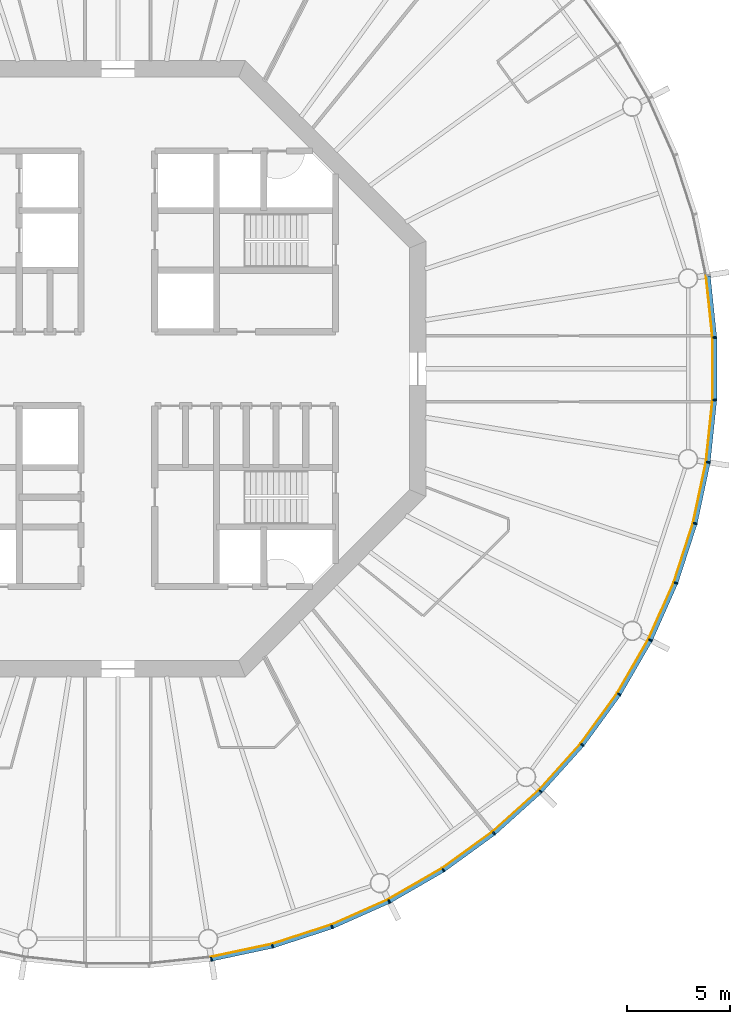
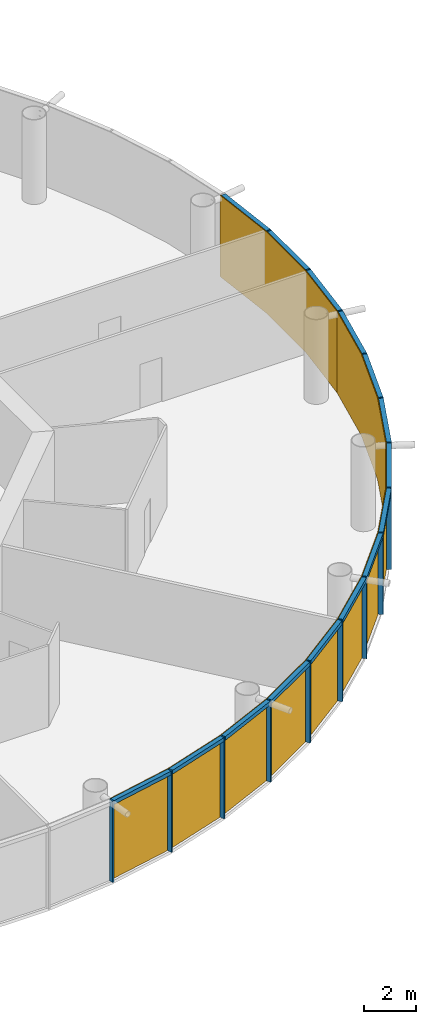
# One storey, part 9 of 13: 30 members, 5 curtain walls.
"""IFC4 building model written with IfcOpenShell, lengths in metres."""

from ifc_helpers import new_model, si_unit, direction, frame, origin, origin_2d, place, context, subcontext, project, spatial, polyline, rectangle, outline, extrude, material, layer, layer_set, material_profile, profile_set, type_object, element, aggregate, save


model = new_model("IFC4")

# Units and contexts
model_context = context("Model", 3, precision=1e-05, world=origin(), true_north=direction((0.0, 1.0)))
body_context = subcontext(model_context, "Body", "Model", "MODEL_VIEW")
ifc_project = project(units=[si_unit("LENGTHUNIT", "METRE"), si_unit("AREAUNIT", "SQUARE_METRE"), si_unit("VOLUMEUNIT", "CUBIC_METRE"), si_unit("PLANEANGLEUNIT", "RADIAN"), si_unit("MASSUNIT", "GRAM", prefix="KILO")], contexts=[model_context])

# Member
ifc_material_1 = material(Name="Anodised aluminium", Category="aluminium")
ifc_material_profile_1 = material_profile(ifc_material_1, rectangle(XDim=0.06494140625, YDim=0.195068359375, at=origin_2d()), Name="Mullion 65 x 195 mm anodised aluminium")
ifc_profile_set_1 = profile_set([ifc_material_profile_1], Name="Anodised aluminium")
member_type_1 = type_object("IfcMemberType", Name="Mullion 65 x 195 mm anodised aluminium", PredefinedType="MULLION", material=ifc_profile_set_1)
site_placement = place(None, origin())
building_placement = place(site_placement, origin())
storey_placement = place(building_placement, frame((0.0, 0.0, 290.0)))
member_1_placement = place(storey_placement, frame((94.5517578125, 51.2607421875, 0.0), z_axis=(0.0, 0.0, 1.0), x_axis=(0.987688340595, 0.15643446504, 0.0)))
member_1 = element("IfcMember", 1, at=member_1_placement, type_object=member_type_1, Name="MULLION L66-45", PredefinedType="MULLION", context=body_context, shape_type="SweptSolid", body=[
    extrude(rectangle(XDim=0.06494140625, YDim=0.195068359375, at=origin_2d()), origin(), (0.0, 0.0, 1.0), 3.85009765625),
])

member_2_placement = place(storey_placement, frame((97.531005859375, 51.89404296875, 0.0), z_axis=(0.0, 0.0, 1.0), x_axis=(0.965925826289, 0.258819045103, 0.0)))
member_2 = element("IfcMember", 2, at=member_2_placement, type_object=member_type_1, Name="MULLION L66-46", PredefinedType="MULLION", context=body_context, shape_type="SweptSolid", body=[
    extrude(rectangle(XDim=0.06494140625, YDim=0.195068359375, at=origin_2d()), origin(), (0.0, 0.0, 1.0), 3.85009765625),
])

member_3_placement = place(storey_placement, frame((100.427490234375, 52.835205078125, 0.0), z_axis=(0.0, 0.0, 1.0), x_axis=(0.933580426497, 0.358367949545, 0.0)))
member_3 = element("IfcMember", 3, at=member_3_placement, type_object=member_type_1, Name="MULLION L66-47", PredefinedType="MULLION", context=body_context, shape_type="SweptSolid", body=[
    extrude(rectangle(XDim=0.06494140625, YDim=0.195068359375, at=origin_2d()), origin(), (0.0, 0.0, 1.0), 3.85009765625),
])

member_4_placement = place(storey_placement, frame((103.2099609375, 54.073974609375, 0.0), z_axis=(0.0, 0.0, 1.0), x_axis=(0.891006524188, 0.45399049974, 0.0)))
member_4 = element("IfcMember", 4, at=member_4_placement, type_object=member_type_1, Name="MULLION L66-48", PredefinedType="MULLION", context=body_context, shape_type="SweptSolid", body=[
    extrude(rectangle(XDim=0.06494140625, YDim=0.195068359375, at=origin_2d()), origin(), (0.0, 0.0, 1.0), 3.85009765625),
])

member_5_placement = place(storey_placement, frame((105.84765625, 55.5966796875, 0.0), z_axis=(0.0, 0.0, 1.0), x_axis=(0.838670567945, 0.544639035015, 0.0)))
member_5 = element("IfcMember", 5, at=member_5_placement, type_object=member_type_1, Name="MULLION L66-49", PredefinedType="MULLION", context=body_context, shape_type="SweptSolid", body=[
    extrude(rectangle(XDim=0.06494140625, YDim=0.195068359375, at=origin_2d()), origin(), (0.0, 0.0, 1.0), 3.85009765625),
])

member_6_placement = place(storey_placement, frame((108.311767578125, 57.386962890625, 0.0), z_axis=(0.0, 0.0, 1.0), x_axis=(0.777145961457, 0.62932039105, 0.0)))
member_6 = element("IfcMember", 6, at=member_6_placement, type_object=member_type_1, Name="MULLION L66-50", PredefinedType="MULLION", context=body_context, shape_type="SweptSolid", body=[
    extrude(rectangle(XDim=0.06494140625, YDim=0.195068359375, at=origin_2d()), origin(), (0.0, 0.0, 1.0), 3.85009765625),
])

member_7_placement = place(storey_placement, frame((110.574951171875, 59.425048828125, 0.0), z_axis=(0.0, 0.0, 1.0), x_axis=(0.707106781187, 0.707106781187, 0.0)))
member_7 = element("IfcMember", 7, at=member_7_placement, type_object=member_type_1, Name="MULLION L66-51", PredefinedType="MULLION", context=body_context, shape_type="SweptSolid", body=[
    extrude(rectangle(XDim=0.06494140625, YDim=0.195068359375, at=origin_2d()), origin(), (0.0, 0.0, 1.0), 3.85009765625),
])

member_8_placement = place(storey_placement, frame((112.613037109375, 61.688232421875, 0.0), z_axis=(0.0, 0.0, 1.0), x_axis=(0.62932039105, 0.777145961457, 0.0)))
member_8 = element("IfcMember", 8, at=member_8_placement, type_object=member_type_1, Name="MULLION L66-52", PredefinedType="MULLION", context=body_context, shape_type="SweptSolid", body=[
    extrude(rectangle(XDim=0.06494140625, YDim=0.195068359375, at=origin_2d()), origin(), (0.0, 0.0, 1.0), 3.85009765625),
])

member_9_placement = place(storey_placement, frame((114.4033203125, 64.15234375, 0.0), z_axis=(0.0, 0.0, 1.0), x_axis=(0.544639035015, 0.838670567945, 0.0)))
member_9 = element("IfcMember", 9, at=member_9_placement, type_object=member_type_1, Name="MULLION L66-53", PredefinedType="MULLION", context=body_context, shape_type="SweptSolid", body=[
    extrude(rectangle(XDim=0.06494140625, YDim=0.195068359375, at=origin_2d()), origin(), (0.0, 0.0, 1.0), 3.85009765625),
])

member_10_placement = place(storey_placement, frame((115.926025390625, 66.7900390625, 0.0), z_axis=(0.0, 0.0, 1.0), x_axis=(0.45399049974, 0.891006524188, 0.0)))
member_10 = element("IfcMember", 10, at=member_10_placement, type_object=member_type_1, Name="MULLION L66-54", PredefinedType="MULLION", context=body_context, shape_type="SweptSolid", body=[
    extrude(rectangle(XDim=0.06494140625, YDim=0.195068359375, at=origin_2d()), origin(), (0.0, 0.0, 1.0), 3.85009765625),
])

member_11_placement = place(storey_placement, frame((117.164794921875, 69.572509765625, 0.0), z_axis=(0.0, 0.0, 1.0), x_axis=(0.358367949545, 0.933580426497, 0.0)))
member_11 = element("IfcMember", 11, at=member_11_placement, type_object=member_type_1, Name="MULLION L66-55", PredefinedType="MULLION", context=body_context, shape_type="SweptSolid", body=[
    extrude(rectangle(XDim=0.06494140625, YDim=0.195068359375, at=origin_2d()), origin(), (0.0, 0.0, 1.0), 3.85009765625),
])

member_12_placement = place(storey_placement, frame((118.10595703125, 72.468994140625, 0.0), z_axis=(0.0, 0.0, 1.0), x_axis=(0.258819045103, 0.965925826289, 0.0)))
member_12 = element("IfcMember", 12, at=member_12_placement, type_object=member_type_1, Name="MULLION L66-56", PredefinedType="MULLION", context=body_context, shape_type="SweptSolid", body=[
    extrude(rectangle(XDim=0.06494140625, YDim=0.195068359375, at=origin_2d()), origin(), (0.0, 0.0, 1.0), 3.85009765625),
])

member_13_placement = place(storey_placement, frame((118.7392578125, 75.4482421875, 0.0), z_axis=(0.0, 0.0, 1.0), x_axis=(0.15643446504, 0.987688340595, 0.0)))
member_13 = element("IfcMember", 13, at=member_13_placement, type_object=member_type_1, Name="MULLION L66-57", PredefinedType="MULLION", context=body_context, shape_type="SweptSolid", body=[
    extrude(rectangle(XDim=0.06494140625, YDim=0.195068359375, at=origin_2d()), origin(), (0.0, 0.0, 1.0), 3.85009765625),
])

member_14_placement = place(storey_placement, frame((119.0576171875, 78.47705078125, 0.0), z_axis=(0.0, 0.0, 1.0), x_axis=(0.052335956243, 0.998629534755, 0.0)))
member_14 = element("IfcMember", 14, at=member_14_placement, type_object=member_type_1, Name="MULLION L66-58", PredefinedType="MULLION", context=body_context, shape_type="SweptSolid", body=[
    extrude(rectangle(XDim=0.06494140625, YDim=0.195068359375, at=origin_2d()), origin(), (0.0, 0.0, 1.0), 3.85009765625),
])

member_15_placement = place(storey_placement, frame((119.0576171875, 81.52294921875, 0.0), z_axis=(0.0, 0.0, 1.0), x_axis=(-0.052335956243, 0.998629534755, 0.0)))
member_15 = element("IfcMember", 15, at=member_15_placement, type_object=member_type_1, Name="MULLION L66-59", PredefinedType="MULLION", context=body_context, shape_type="SweptSolid", body=[
    extrude(rectangle(XDim=0.06494140625, YDim=0.195068359375, at=origin_2d()), origin(), (0.0, 0.0, 1.0), 3.85009765625),
])

ifc_material_2 = material(Name="Anodised aluminium", Category="aluminium")
ifc_material_profile_2 = material_profile(ifc_material_2, rectangle(XDim=0.195068359375, YDim=0.179931640625, at=origin_2d()), Name="Transom 180 x 195 mm anodised aluminium")
ifc_profile_set_2 = profile_set([ifc_material_profile_2], Name="Anodised aluminium")
member_type_2 = type_object("IfcMemberType", Name="Transom 180 x 195 mm anodised aluminium", PredefinedType="USERDEFINED", material=ifc_profile_set_2)
member_16_placement = place(storey_placement, frame((94.588623046875, 51.268310546875, 3.760009765625), z_axis=(0.978141510112, 0.207940342877, 0.0), x_axis=(-0.207940342877, 0.978141510112, 0.0)))
member_16 = element("IfcMember", 16, at=member_16_placement, type_object=member_type_2, Name="TRANSOM L66-45", ObjectType="TRANSOM", PredefinedType="USERDEFINED", context=body_context, shape_type="SweptSolid", body=[
    extrude(rectangle(XDim=0.195068359375, YDim=0.179931640625, at=origin_2d()), origin(), (0.0, 0.0, 1.0), 2.970458984375),
])

member_17_placement = place(storey_placement, frame((97.56689453125, 51.905517578125, 3.760009765625), z_axis=(0.951047960094, 0.309043326415, 0.0), x_axis=(-0.309043326415, 0.951047960094, 0.0)))
member_17 = element("IfcMember", 17, at=member_17_placement, type_object=member_type_2, Name="TRANSOM L66-46", ObjectType="TRANSOM", PredefinedType="USERDEFINED", context=body_context, shape_type="SweptSolid", body=[
    extrude(rectangle(XDim=0.195068359375, YDim=0.179931640625, at=origin_2d()), origin(), (0.0, 0.0, 1.0), 2.970458984375),
])

member_18_placement = place(storey_placement, frame((100.4619140625, 52.850341796875, 3.760009765625), z_axis=(0.913550406593, 0.406725527369, 0.0), x_axis=(-0.406725527369, 0.913550406593, 0.0)))
member_18 = element("IfcMember", 18, at=member_18_placement, type_object=member_type_2, Name="TRANSOM L66-47", ObjectType="TRANSOM", PredefinedType="USERDEFINED", context=body_context, shape_type="SweptSolid", body=[
    extrude(rectangle(XDim=0.195068359375, YDim=0.179931640625, at=origin_2d()), origin(), (0.0, 0.0, 1.0), 2.970703125),
])

member_19_placement = place(storey_placement, frame((103.24267578125, 54.092529296875, 3.760009765625), z_axis=(0.866009025146, 0.500028367561, 0.0), x_axis=(-0.500028367561, 0.866009025146, 0.0)))
member_19 = element("IfcMember", 19, at=member_19_placement, type_object=member_type_2, Name="TRANSOM L66-48", ObjectType="TRANSOM", PredefinedType="USERDEFINED", context=body_context, shape_type="SweptSolid", body=[
    extrude(rectangle(XDim=0.195068359375, YDim=0.179931640625, at=origin_2d()), origin(), (0.0, 0.0, 1.0), 2.970458984375),
])

member_20_placement = place(storey_placement, frame((105.878173828125, 55.618896484375, 3.760009765625), z_axis=(0.809030990733, 0.587765987476, 0.0), x_axis=(-0.587765987476, 0.809030990733, 0.0)))
member_20 = element("IfcMember", 20, at=member_20_placement, type_object=member_type_2, Name="TRANSOM L66-49", ObjectType="TRANSOM", PredefinedType="USERDEFINED", context=body_context, shape_type="SweptSolid", body=[
    extrude(rectangle(XDim=0.195068359375, YDim=0.179931640625, at=origin_2d()), origin(), (0.0, 0.0, 1.0), 2.97021484375),
])

member_21_placement = place(storey_placement, frame((108.339599609375, 57.412109375, 3.760009765625), z_axis=(0.743163354343, 0.669110027395, 0.0), x_axis=(-0.669110027395, 0.743163354343, 0.0)))
member_21 = element("IfcMember", 21, at=member_21_placement, type_object=member_type_2, Name="TRANSOM L66-50", ObjectType="TRANSOM", PredefinedType="USERDEFINED", context=body_context, shape_type="SweptSolid", body=[
    extrude(rectangle(XDim=0.195068359375, YDim=0.179931640625, at=origin_2d()), origin(), (0.0, 0.0, 1.0), 2.970458984375),
])

member_22_placement = place(storey_placement, frame((110.600341796875, 59.452880859375, 3.760009765625), z_axis=(0.669110027395, 0.743163354343, 0.0), x_axis=(-0.743163354343, 0.669110027395, 0.0)))
member_22 = element("IfcMember", 22, at=member_22_placement, type_object=member_type_2, Name="TRANSOM L66-51", ObjectType="TRANSOM", PredefinedType="USERDEFINED", context=body_context, shape_type="SweptSolid", body=[
    extrude(rectangle(XDim=0.195068359375, YDim=0.179931640625, at=origin_2d()), origin(), (0.0, 0.0, 1.0), 2.970458984375),
])

member_23_placement = place(storey_placement, frame((112.63525390625, 61.71875, 3.760009765625), z_axis=(0.587765987476, 0.809030990733, 0.0), x_axis=(-0.809030990733, 0.587765987476, 0.0)))
member_23 = element("IfcMember", 23, at=member_23_placement, type_object=member_type_2, Name="TRANSOM L66-52", ObjectType="TRANSOM", PredefinedType="USERDEFINED", context=body_context, shape_type="SweptSolid", body=[
    extrude(rectangle(XDim=0.195068359375, YDim=0.179931640625, at=origin_2d()), origin(), (0.0, 0.0, 1.0), 2.97021484375),
])

member_24_placement = place(storey_placement, frame((114.422119140625, 64.184814453125, 3.760009765625), z_axis=(0.500028367561, 0.866009025146, 0.0), x_axis=(-0.866009025146, 0.500028367561, 0.0)))
member_24 = element("IfcMember", 24, at=member_24_placement, type_object=member_type_2, Name="TRANSOM L66-53", ObjectType="TRANSOM", PredefinedType="USERDEFINED", context=body_context, shape_type="SweptSolid", body=[
    extrude(rectangle(XDim=0.195068359375, YDim=0.179931640625, at=origin_2d()), origin(), (0.0, 0.0, 1.0), 2.970458984375),
])

member_25_placement = place(storey_placement, frame((115.94140625, 66.82421875, 3.760009765625), z_axis=(0.406725527369, 0.913550406593, 0.0), x_axis=(-0.913550406593, 0.406725527369, 0.0)))
member_25 = element("IfcMember", 25, at=member_25_placement, type_object=member_type_2, Name="TRANSOM L66-54", ObjectType="TRANSOM", PredefinedType="USERDEFINED", context=body_context, shape_type="SweptSolid", body=[
    extrude(rectangle(XDim=0.195068359375, YDim=0.179931640625, at=origin_2d()), origin(), (0.0, 0.0, 1.0), 2.970703125),
])

member_26_placement = place(storey_placement, frame((117.176513671875, 69.608154296875, 3.760009765625), z_axis=(0.309043326415, 0.951047960094, 0.0), x_axis=(-0.951047960094, 0.309043326415, 0.0)))
member_26 = element("IfcMember", 26, at=member_26_placement, type_object=member_type_2, Name="TRANSOM L66-55", ObjectType="TRANSOM", PredefinedType="USERDEFINED", context=body_context, shape_type="SweptSolid", body=[
    extrude(rectangle(XDim=0.195068359375, YDim=0.179931640625, at=origin_2d()), origin(), (0.0, 0.0, 1.0), 2.970458984375),
])

member_27_placement = place(storey_placement, frame((118.114013671875, 72.505859375, 3.760009765625), z_axis=(0.207940342877, 0.978141510112, 0.0), x_axis=(-0.978141510112, 0.207940342877, 0.0)))
member_27 = element("IfcMember", 27, at=member_27_placement, type_object=member_type_2, Name="TRANSOM L66-56", ObjectType="TRANSOM", PredefinedType="USERDEFINED", context=body_context, shape_type="SweptSolid", body=[
    extrude(rectangle(XDim=0.195068359375, YDim=0.179931640625, at=origin_2d()), origin(), (0.0, 0.0, 1.0), 2.970458984375),
])

member_28_placement = place(storey_placement, frame((118.743408203125, 75.485595703125, 3.760009765625), z_axis=(0.104466577987, 0.994528397827, 0.0), x_axis=(-0.994528397827, 0.104466577987, 0.0)))
member_28 = element("IfcMember", 28, at=member_28_placement, type_object=member_type_2, Name="TRANSOM L66-57", ObjectType="TRANSOM", PredefinedType="USERDEFINED", context=body_context, shape_type="SweptSolid", body=[
    extrude(rectangle(XDim=0.195068359375, YDim=0.179931640625, at=origin_2d()), origin(), (0.0, 0.0, 1.0), 2.970458984375),
])

member_29_placement = place(storey_placement, frame((119.057861328125, 78.5146484375, 3.760009765625), z_axis=(0.0, 1.0, 0.0), x_axis=(-1.0, 0.0, 0.0)))
member_29 = element("IfcMember", 29, at=member_29_placement, type_object=member_type_2, Name="TRANSOM L66-58", ObjectType="TRANSOM", PredefinedType="USERDEFINED", context=body_context, shape_type="SweptSolid", body=[
    extrude(rectangle(XDim=0.195068359375, YDim=0.179931640625, at=origin_2d()), origin(), (0.0, 0.0, 1.0), 2.970703125),
])

member_30_placement = place(storey_placement, frame((119.0537109375, 81.560302734375, 3.760009765625), z_axis=(-0.104466577987, 0.994528397827, 0.0), x_axis=(-0.994528397827, -0.104466577987, 0.0)))
member_30 = element("IfcMember", 30, at=member_30_placement, type_object=member_type_2, Name="TRANSOM L66-59", ObjectType="TRANSOM", PredefinedType="USERDEFINED", context=body_context, shape_type="SweptSolid", body=[
    extrude(rectangle(XDim=0.195068359375, YDim=0.179931640625, at=origin_2d()), origin(), (0.0, 0.0, 1.0), 2.970458984375),
])

# Site, building, storey
site = spatial("IfcSite", under=ifc_project, at=site_placement, CompositionType="ELEMENT")
building = spatial("IfcBuilding", under=site, at=building_placement, Name="Entoto Ring Tower", CompositionType="ELEMENT")
storey = spatial("IfcBuildingStorey", under=building, at=storey_placement, Name="L66", CompositionType="ELEMENT", Elevation=290.0)

# Curtain wall
ifc_material_3 = material(Name="Clear low-iron glass", Category="glass")
ifc_layer = layer(ifc_material_3, 0.033935546875)
ifc_layer_set = layer_set([ifc_layer], Name="Clear low-iron glass")
curtain_wall_type = type_object("IfcCurtainWallType", Name="Curtain wall system CW5 glazing 34 mm", PredefinedType="NOTDEFINED", material=ifc_layer_set)
curtain_wall_1_placement = place(storey_placement, origin())
curtain_wall_1 = element("IfcCurtainWall", 31, at=curtain_wall_1_placement, inside=storey, type_object=curtain_wall_type, Name="CW5 L66-16", PredefinedType="NOTDEFINED", context=body_context, shape_type="SweptSolid", body=[
    extrude(outline(polyline([(94.53662109375, 51.35693359375), (97.505859375, 51.988037109375), (100.392578125, 52.92626953125), (103.165771484375, 54.160888671875), (103.150146484375, 54.191162109375), (100.38037109375, 52.9580078125), (97.496826171875, 52.02099609375), (94.53125, 51.390625), (94.53662109375, 51.35693359375)])), origin(), (0.0, 0.0, 1.0), 3.85009765625),
])

aggregate(curtain_wall_1, [member_1, member_2, member_3, member_16, member_17, member_18])

curtain_wall_2_placement = place(storey_placement, origin())
curtain_wall_2 = element("IfcCurtainWall", 32, at=curtain_wall_2_placement, inside=storey, type_object=curtain_wall_type, Name="CW5 L66-17", PredefinedType="NOTDEFINED", context=body_context, shape_type="SweptSolid", body=[
    extrude(outline(polyline([(103.165771484375, 54.160888671875), (105.79443359375, 55.678466796875), (108.250244140625, 57.462646484375), (110.506103515625, 59.493896484375), (110.48193359375, 59.51806640625), (108.228759765625, 57.4892578125), (105.77587890625, 55.70703125), (103.150146484375, 54.191162109375), (103.165771484375, 54.160888671875)])), origin(), (0.0, 0.0, 1.0), 3.85009765625),
])

aggregate(curtain_wall_2, [member_4, member_5, member_6, member_19, member_20, member_21])

curtain_wall_3_placement = place(storey_placement, origin())
curtain_wall_3 = element("IfcCurtainWall", 33, at=curtain_wall_3_placement, inside=storey, type_object=curtain_wall_type, Name="CW5 L66-18", PredefinedType="NOTDEFINED", context=body_context, shape_type="SweptSolid", body=[
    extrude(outline(polyline([(110.506103515625, 59.493896484375), (112.537353515625, 61.749755859375), (114.321533203125, 64.20556640625), (115.839111328125, 66.834228515625), (115.808837890625, 66.849853515625), (114.29296875, 64.22412109375), (112.5107421875, 61.771240234375), (110.48193359375, 59.51806640625), (110.506103515625, 59.493896484375)])), origin(), (0.0, 0.0, 1.0), 3.85009765625),
])

aggregate(curtain_wall_3, [member_7, member_8, member_9, member_22, member_23, member_24])

curtain_wall_4_placement = place(storey_placement, origin())
curtain_wall_4 = element("IfcCurtainWall", 34, at=curtain_wall_4_placement, inside=storey, type_object=curtain_wall_type, Name="CW5 L66-19", PredefinedType="NOTDEFINED", context=body_context, shape_type="SweptSolid", body=[
    extrude(outline(polyline([(115.839111328125, 66.834228515625), (117.07373046875, 69.607421875), (118.011962890625, 72.494140625), (118.64306640625, 75.46337890625), (118.609375, 75.46875), (117.97900390625, 72.503173828125), (117.0419921875, 69.61962890625), (115.808837890625, 66.849853515625), (115.839111328125, 66.834228515625)])), origin(), (0.0, 0.0, 1.0), 3.85009765625),
])

aggregate(curtain_wall_4, [member_10, member_11, member_12, member_25, member_26, member_27])

curtain_wall_5_placement = place(storey_placement, origin())
curtain_wall_5 = element("IfcCurtainWall", 35, at=curtain_wall_5_placement, inside=storey, type_object=curtain_wall_type, Name="CW5 L66-20", PredefinedType="NOTDEFINED", context=body_context, shape_type="SweptSolid", body=[
    extrude(outline(polyline([(118.64306640625, 75.46337890625), (118.960205078125, 78.482177734375), (118.960205078125, 81.517822265625), (118.64306640625, 84.53662109375), (118.609375, 84.53125), (118.92626953125, 81.515869140625), (118.92626953125, 78.484130859375), (118.609375, 75.46875), (118.64306640625, 75.46337890625)])), origin(), (0.0, 0.0, 1.0), 3.85009765625),
])

aggregate(curtain_wall_5, [member_13, member_14, member_15, member_28, member_29, member_30])

save(model, "model.ifc")
